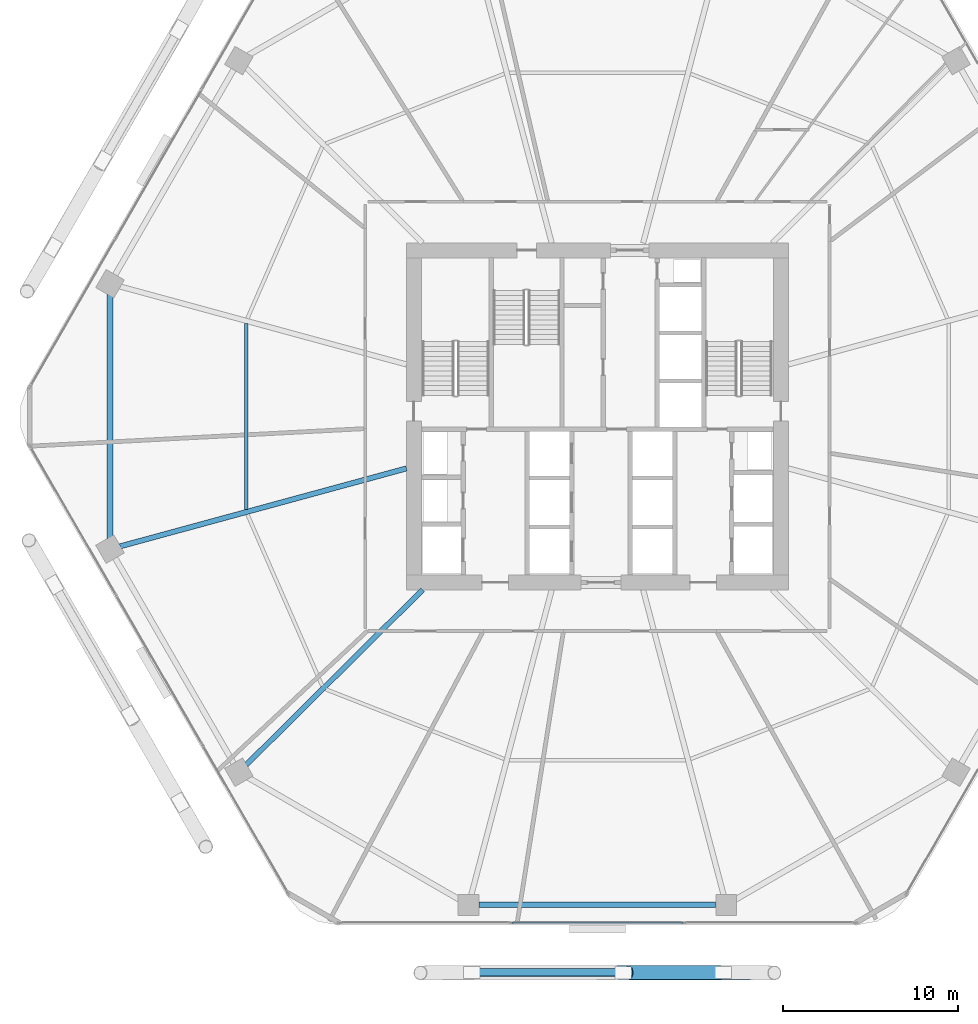
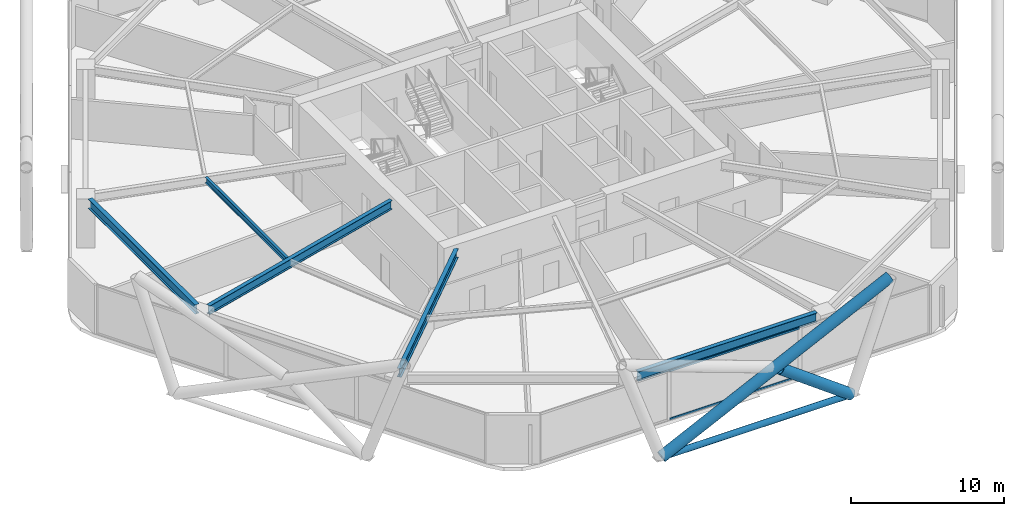
# One storey, part 6 of 30: 5 beams, 5 members, 1 element without a shape of its own.
"""IFC4 building model written with IfcOpenShell, lengths in metres."""

from ifc_helpers import new_model, si_unit, direction, frame, origin, origin_2d, place, context, subcontext, project, spatial, hollow_rectangle, hollow_circle, i_section, extrude, material, material_profile, profile_set, type_object, element, aggregate, save


model = new_model("IFC4")

# Units and contexts
model_context = context("Model", 3, precision=1e-05, world=origin(), true_north=direction((0.0, 1.0)))
body_context = subcontext(model_context, "Body", "Model", "MODEL_VIEW")
ifc_project = project(units=[si_unit("LENGTHUNIT", "METRE"), si_unit("AREAUNIT", "SQUARE_METRE"), si_unit("VOLUMEUNIT", "CUBIC_METRE"), si_unit("PLANEANGLEUNIT", "RADIAN"), si_unit("MASSUNIT", "GRAM", prefix="KILO")], contexts=[model_context])

# Site, building, storey
site_placement = place(None, origin())
site = spatial("IfcSite", under=ifc_project, at=site_placement, CompositionType="ELEMENT")
building_placement = place(site_placement, origin())
building = spatial("IfcBuilding", under=site, at=building_placement, Name="Zuhravey Tower", CompositionType="ELEMENT")
storey_placement = place(building_placement, frame((0.0, 0.0, 33.0)))
storey = spatial("IfcBuildingStorey", under=building, at=storey_placement, Name="L08", CompositionType="ELEMENT", Elevation=33.0)

# Curtain wall, members
ifc_material_1 = material(Name="Thermally broken anodised aluminium", Category="aluminium")
curtain_wall_type = type_object("IfcCurtainWallType", Name="School Low-E Unitised Curtain Wall CW1", PredefinedType="NOTDEFINED", material=ifc_material_1)
curtain_wall_placement = place(storey_placement, origin())
curtain_wall = element("IfcCurtainWall", 1, at=curtain_wall_placement, inside=storey, type_object=curtain_wall_type, Name="L08 CW1 CW-L08-F5-1", PredefinedType="NOTDEFINED")
ifc_material_2 = material(Name="Anodised aluminium", Category="aluminium")
ifc_material_profile_1 = material_profile(ifc_material_2, hollow_rectangle(XDim=0.090087890625, YDim=0.14990234375, WallThickness=0.0048828125, at=origin_2d()), Name="ALU-RHS-90x150x5")
ifc_profile_set_1 = profile_set([ifc_material_profile_1], Name="Anodised aluminium")
member_type_1 = type_object("IfcMemberType", Name="Curtain-Wall Transom 90x150", PredefinedType="USERDEFINED", material=ifc_profile_set_1)
member_1_placement = place(storey_placement, frame((40.88818359375, 3.04150390625, 0.044921875), z_axis=(-1.0, 0.0, 0.0), x_axis=(0.0, -1.0, 0.0)))
member_1 = element("IfcMember", 2, at=member_1_placement, type_object=member_type_1, Name="CW1 transom 2.1", ObjectType="TRANSOM", PredefinedType="USERDEFINED", context=body_context, shape_type="SweptSolid", body=[
    extrude(hollow_rectangle(XDim=0.090087890625, YDim=0.14990234375, WallThickness=0.0048828125, at=origin_2d()), origin(), (0.0, 0.0, 1.0), 9.7763671875),
])
member_2_placement = place(storey_placement, frame((40.88818359375, 3.04150390625, 3.875), z_axis=(-1.0, 0.0, 0.0), x_axis=(0.0, -1.0, 0.0)))
member_2 = element("IfcMember", 3, at=member_2_placement, type_object=member_type_1, Name="CW1 transom 2.2", ObjectType="TRANSOM", PredefinedType="USERDEFINED", context=body_context, shape_type="SweptSolid", body=[
    extrude(hollow_rectangle(XDim=0.090087890625, YDim=0.14990234375, WallThickness=0.0048828125, at=origin_2d()), origin(), (0.0, 0.0, 1.0), 9.7763671875),
])
aggregate(curtain_wall, [member_1, member_2])

# Members
ifc_material_3 = material(Name="Steel SM355", Category="steel")
ifc_material_profile_2 = material_profile(ifc_material_3, hollow_circle(Radius=0.228515625, WallThickness=0.02197265625, at=origin_2d()), Name="CHS-457.2x22")
ifc_profile_set_2 = profile_set([ifc_material_profile_2], Name="Steel SM355")
member_type_2 = type_object("IfcMemberType", Name="Exoskeleton Ring Tie CHS457x22", PredefinedType="CHORD", material=ifc_profile_set_2)
member_3_placement = place(storey_placement, frame((28.946044921875, 0.19140625, -0.493896484375), z_axis=(1.0, 0.0, 0.0), x_axis=(0.0, 1.0, 0.0)))
element("IfcMember", 4, at=member_3_placement, inside=storey, type_object=member_type_2, Name="L08 Exoskeleton Face 5 Tie EXR1", PredefinedType="CHORD", context=body_context, shape_type="SweptSolid", body=[
    extrude(hollow_circle(Radius=0.228515625, WallThickness=0.02197265625, at=origin_2d()), origin(), (0.0, 0.0, 1.0), 14.10791015625),
])
ifc_material_4 = material(Name="Steel SM460", Category="steel")
ifc_material_profile_3 = material_profile(ifc_material_4, hollow_circle(Radius=0.406494140625, WallThickness=0.035888671875, at=origin_2d()), Name="CHS-812.8x36")
ifc_profile_set_3 = profile_set([ifc_material_profile_3], Name="Steel SM460")
member_type_3 = type_object("IfcMemberType", Name="Exoskeleton Zone 1 Diagrid CHS813x36", PredefinedType="BRACE", material=ifc_profile_set_3)
member_4_placement = place(storey_placement, frame((28.8515625, 0.19140625, -0.471923828125), z_axis=(0.899868496349, -0.00155470525, 0.436158540177), x_axis=(0.001727700143, 0.999998507525, 0.0)))
element("IfcMember", 5, at=member_4_placement, inside=storey, type_object=member_type_3, Name="L08 Face 5 Diagrid Brace 2", PredefinedType="BRACE", context=body_context, shape_type="SweptSolid", body=[
    extrude(hollow_circle(Radius=0.406494140625, WallThickness=0.035888671875, at=origin_2d()), origin(), (0.0, 0.0, 1.0), 19.157958984375),
])
member_5_placement = place(storey_placement, frame((43.1533203125, 0.19140625, -0.464111328125), z_axis=(-0.80616154542, -0.002128915432, 0.591691668359), x_axis=(0.002640795782, -0.999996513093, 0.0)))
element("IfcMember", 6, at=member_5_placement, inside=storey, type_object=member_type_3, Name="L08 Face 5 Split Diagrid Brace 3A", PredefinedType="BRACE", context=body_context, shape_type="SweptSolid", body=[
    extrude(hollow_circle(Radius=0.406494140625, WallThickness=0.035888671875, at=origin_2d()), origin(), (0.0, 0.0, 1.0), 6.6513671875),
])

# Beams
ifc_material_profile_4 = material_profile(ifc_material_3, i_section(OverallWidth=0.320068359375, OverallDepth=0.75, WebThickness=0.013916015625, FlangeThickness=0.02490234375, at=origin_2d()), Name="H-750x320x14x25")
ifc_profile_set_4 = profile_set([ifc_material_profile_4], Name="Steel SM355")
beam_type_1 = type_object("IfcBeamType", Name="Perimeter Ring Beam H750x320", PredefinedType="BEAM", material=ifc_profile_set_4)
beam_1_placement = place(storey_placement, frame((8.11083984375, 38.988525390625, 3.544921875), z_axis=(0.0, -1.0, 0.0), x_axis=(1.0, 0.0, 0.0)))
element("IfcBeam", 7, at=beam_1_placement, inside=storey, type_object=beam_type_1, Name="L08 PB1 BM-L08-PB-06", PredefinedType="BEAM", context=body_context, shape_type="SweptSolid", body=[
    extrude(i_section(OverallWidth=0.320068359375, OverallDepth=0.75, WebThickness=0.013916015625, FlangeThickness=0.02490234375, at=origin_2d()), origin(), (0.0, 0.0, 1.0), 13.97705078125),
])
beam_2_placement = place(storey_placement, frame((29.23291015625, 4.051513671875, 3.544921875), z_axis=(1.0, 0.0, 0.0), x_axis=(0.0, 1.0, 0.0)))
element("IfcBeam", 8, at=beam_2_placement, inside=storey, type_object=beam_type_1, Name="L08 PB1 BM-L08-PB-09", PredefinedType="BEAM", context=body_context, shape_type="SweptSolid", body=[
    extrude(i_section(OverallWidth=0.320068359375, OverallDepth=0.75, WebThickness=0.013916015625, FlangeThickness=0.02490234375, at=origin_2d()), origin(), (0.0, 0.0, 1.0), 13.5341796875),
])
ifc_material_profile_5 = material_profile(ifc_material_3, i_section(OverallWidth=0.300048828125, OverallDepth=0.699951171875, WebThickness=0.012939453125, FlangeThickness=0.02392578125, at=origin_2d()), Name="H-700x300x13x24")
ifc_profile_set_5 = profile_set([ifc_material_profile_5], Name="Steel SM355")
beam_type_2 = type_object("IfcBeamType", Name="Radial Primary Girder H700x300", PredefinedType="BEAM", material=ifc_profile_set_5)
beam_3_placement = place(storey_placement, frame((25.072021484375, 29.025390625, 3.570068359375), z_axis=(-0.964892480455, -0.26264520015, 0.0), x_axis=(0.26264520015, -0.964892480455, 0.0)))
element("IfcBeam", 9, at=beam_3_placement, inside=storey, type_object=beam_type_2, Name="L08 RG1 BM-L08-RAD-07", PredefinedType="BEAM", context=body_context, shape_type="SweptSolid", body=[
    extrude(i_section(OverallWidth=0.300048828125, OverallDepth=0.699951171875, WebThickness=0.012939453125, FlangeThickness=0.02392578125, at=origin_2d()), origin(), (0.0, 0.0, 1.0), 16.975341796875),
])
beam_4_placement = place(storey_placement, frame((25.992919921875, 22.072021484375, 3.570068359375), z_axis=(-0.709902823282, -0.704299639, 0.0), x_axis=(0.704299639, -0.709902823282, 0.0)))
element("IfcBeam", 10, at=beam_4_placement, inside=storey, type_object=beam_type_2, Name="L08 RG1 BM-L08-RAD-08", PredefinedType="BEAM", context=body_context, shape_type="SweptSolid", body=[
    extrude(i_section(OverallWidth=0.300048828125, OverallDepth=0.699951171875, WebThickness=0.012939453125, FlangeThickness=0.02392578125, at=origin_2d()), origin(), (0.0, 0.0, 1.0), 14.204345703125),
])
ifc_material_profile_6 = material_profile(ifc_material_3, i_section(OverallWidth=0.199951171875, OverallDepth=0.449951171875, WebThickness=0.009033203125, FlangeThickness=0.013916015625, at=origin_2d()), Name="H-450x200x9x14")
ifc_profile_set_6 = profile_set([ifc_material_profile_6], Name="Steel SM355")
beam_type_3 = type_object("IfcBeamType", Name="Secondary Floor Joist H450x200", PredefinedType="JOIST", material=ifc_profile_set_6)
beam_5_placement = place(storey_placement, frame((15.9130859375, 37.313720703125, 3.695068359375), z_axis=(0.0, -1.0, 0.0), x_axis=(1.0, 0.0, 0.0)))
element("IfcBeam", 11, at=beam_5_placement, inside=storey, type_object=beam_type_3, Name="L08 SJ1 BM-L08-SJ-06-1", PredefinedType="JOIST", context=body_context, shape_type="SweptSolid", body=[
    extrude(i_section(OverallWidth=0.199951171875, OverallDepth=0.449951171875, WebThickness=0.009033203125, FlangeThickness=0.013916015625, at=origin_2d()), origin(), (0.0, 0.0, 1.0), 10.62744140625),
])

save(model, "model.ifc")
